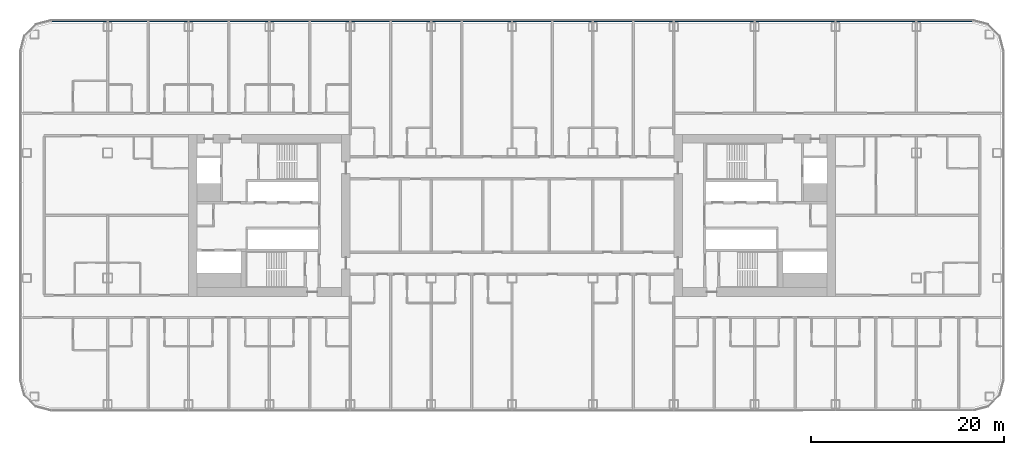
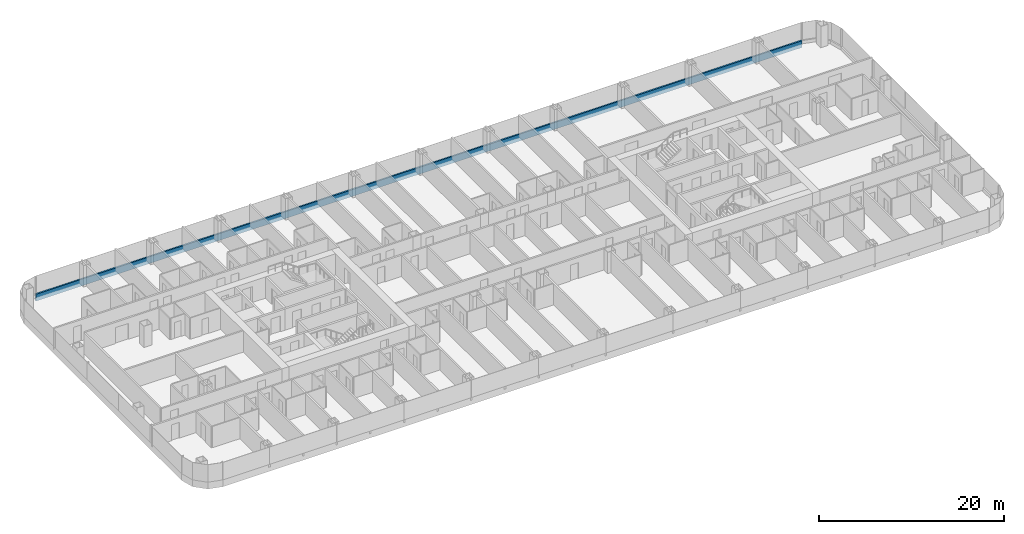
# One storey, part 8 of 29: 1 member, 1 element without a shape of its own.
"""IFC4 building model written with IfcOpenShell, lengths in metres."""

from ifc_helpers import new_model, si_unit, direction, frame, origin, origin_2d, place, context, subcontext, project, spatial, rectangle, extrude, material, layer, layer_set, material_profile, profile_set, type_object, element, aggregate, save


model = new_model("IFC4")

# Units and contexts
model_context = context("Model", 3, precision=1e-05, world=origin(), true_north=direction((0.0, 1.0)))
body_context = subcontext(model_context, "Body", "Model", "MODEL_VIEW")
ifc_project = project(units=[si_unit("LENGTHUNIT", "METRE"), si_unit("AREAUNIT", "SQUARE_METRE"), si_unit("VOLUMEUNIT", "CUBIC_METRE"), si_unit("PLANEANGLEUNIT", "RADIAN"), si_unit("MASSUNIT", "GRAM", prefix="KILO")], contexts=[model_context])

# Site, building, storey
site_placement = place(None, origin())
site = spatial("IfcSite", under=ifc_project, at=site_placement, CompositionType="ELEMENT")
building_placement = place(site_placement, origin())
building = spatial("IfcBuilding", under=site, at=building_placement, Name="Hakoniwa Tower and Hamabe Station Hall", CompositionType="ELEMENT")
storey_placement = place(building_placement, frame((0.0, 0.0, 23.0)))
storey = spatial("IfcBuildingStorey", under=building, at=storey_placement, Name="L05", CompositionType="ELEMENT", Elevation=23.0)

# Curtain wall, member
ifc_material_1 = material(Name="Dark low-e laminated glass", Category="glass")
ifc_layer = layer(ifc_material_1, 0.199951171875)
ifc_layer_set = layer_set([ifc_layer], Name="CW-1 UNITISED GUEST")
curtain_wall_type = type_object("IfcCurtainWallType", Name="CW-1 UNITISED GUEST", PredefinedType="NOTDEFINED", material=ifc_layer_set)
curtain_wall_placement = place(storey_placement, origin())
curtain_wall = element("IfcCurtainWall", 1, at=curtain_wall_placement, inside=storey, type_object=curtain_wall_type, Name="CW-1 curtain wall", PredefinedType="NOTDEFINED")
ifc_material_2 = material(Name="Aluminium 6063-T5 black anodised", Category="aluminium")
ifc_material_profile = material_profile(ifc_material_2, rectangle(XDim=0.199951171875, YDim=0.89990234375, at=origin_2d()), Name="CW SLAB-EDGE BAND 900X200")
ifc_profile_set = profile_set([ifc_material_profile], Name="Aluminium 6063-T5 black anodised")
member_type = type_object("IfcMemberType", Name="CW SLAB-EDGE BAND 900X200", PredefinedType="USERDEFINED", material=ifc_profile_set)
member_placement = place(storey_placement, frame((47.839599609375, 20.199951171875, -0.10009765625), z_axis=(-1.0, 0.0, 0.0), x_axis=(0.0, -1.0, 0.0)))
member = element("IfcMember", 2, at=member_placement, type_object=member_type, Name="CW-1 transom", ObjectType="TRANSOM", PredefinedType="USERDEFINED", context=body_context, shape_type="SweptSolid", body=[
    extrude(rectangle(XDim=0.199951171875, YDim=0.89990234375, at=origin_2d()), origin(), (0.0, 0.0, 1.0), 95.67919921875),
])
aggregate(curtain_wall, [member])

save(model, "model.ifc")
